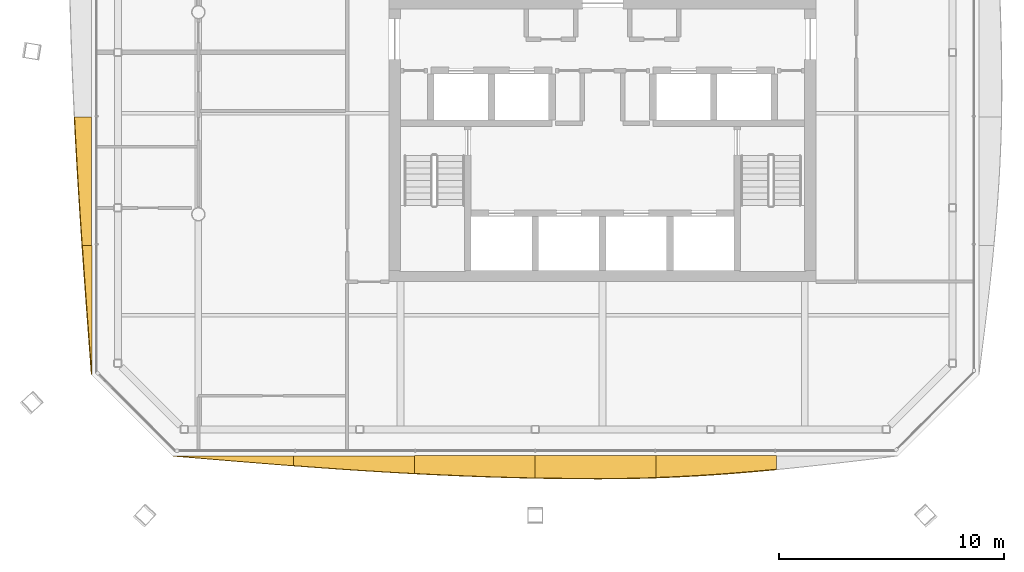
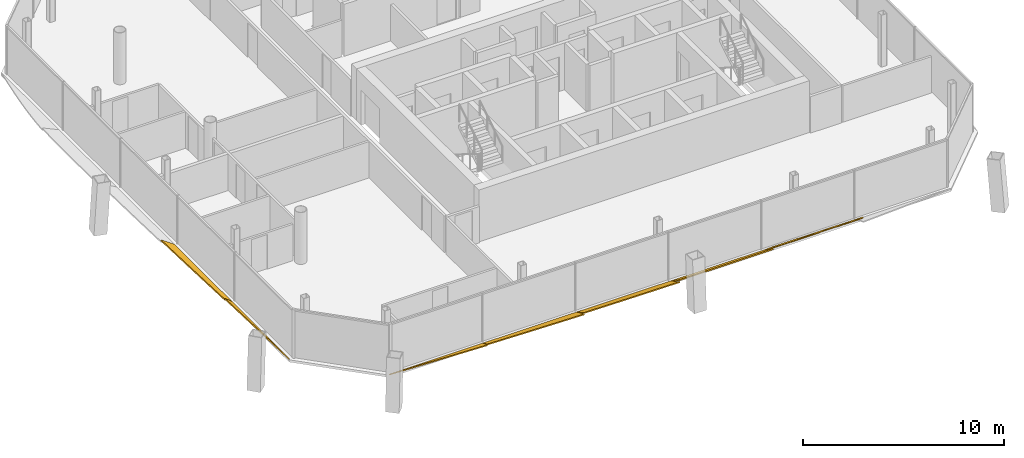
# One storey, part 16 of 19: 7 shading devices.
"""IFC4 building model written with IfcOpenShell, lengths in metres."""

from ifc_helpers import new_model, si_unit, direction, frame, origin, place, context, subcontext, project, spatial, polyline, outline, extrude, material, layer, layer_set, type_object, element, save


model = new_model("IFC4")

# Units and contexts
model_context = context("Model", 3, precision=1e-05, world=origin(), true_north=direction((0.0, 1.0)))
body_context = subcontext(model_context, "Body", "Model", "MODEL_VIEW")
ifc_project = project(units=[si_unit("LENGTHUNIT", "METRE"), si_unit("AREAUNIT", "SQUARE_METRE"), si_unit("VOLUMEUNIT", "CUBIC_METRE"), si_unit("PLANEANGLEUNIT", "RADIAN"), si_unit("MASSUNIT", "GRAM", prefix="KILO")], contexts=[model_context])

# Site, building, storey
site_placement = place(None, origin())
site = spatial("IfcSite", under=ifc_project, at=site_placement, CompositionType="ELEMENT")
building_placement = place(site_placement, origin())
building = spatial("IfcBuilding", under=site, at=building_placement, Name="Tskaro Facet Tower", CompositionType="ELEMENT")
storey_placement = place(building_placement, frame((0.0, 0.0, 203.699951171875)))
storey = spatial("IfcBuildingStorey", under=building, at=storey_placement, Name="L52", CompositionType="ELEMENT", Elevation=203.699951171875)

# Shading devices
ifc_material = material(Name="Bronze anodised aluminium 6063-T6", Category="aluminium")
ifc_layer = layer(ifc_material, 0.06005859375, Name="Bronze anodised aluminium 6063-T6")
ifc_layer_set = layer_set([ifc_layer], Name="Bronze anodised aluminium 6063-T6")
shading_device_type = type_object("IfcShadingDeviceType", Name="Bronze sun blade (FN1)", PredefinedType="USERDEFINED", material=ifc_layer_set)
shading_device_1_placement = place(storey_placement, frame((-19.1298828125, -19.762451171875, 0.056396484375), z_axis=(7.790683e-06, 0.342038678455, 0.939685874311), x_axis=(0.99999999997, -2.664715e-06, -7.320794e-06)))
element("IfcShadingDevice", 1, at=shading_device_1_placement, inside=storey, type_object=shading_device_type, Name="Fin blade south 1", ObjectType="FIN", PredefinedType="USERDEFINED", context=body_context, shape_type="SweptSolid", body=[
    extrude(outline(polyline([(0.0, 0.0), (5.376464843586839, 0.0), (5.3764648439134, -0.4647864279479422), (4.704345703661909, -0.40994983182305916), (4.032470701919325, -0.3536532371814515), (3.360351562961961, -0.2964178794396448), (2.6882324214023376, -0.23826485971117814), (2.016113281465625, -0.1792565824192472), (1.343994140227782, -0.11978947413398622), (0.6718750001266772, -0.06000944481532561), (0.0, 0.0)])), origin(), (0.0, 0.0, -1.0), 0.06005859375),
])
shading_device_2_placement = place(storey_placement, frame((-13.75341796875, -19.757568359375, 0.054443359375), z_axis=(-7.531264e-06, 0.42253059085, 0.906348663451), x_axis=(0.999999999972, 3.182189e-06, 6.825951e-06)))
element("IfcShadingDevice", 2, at=shading_device_2_placement, inside=storey, type_object=shading_device_type, Name="Fin blade south 2", ObjectType="FIN", PredefinedType="USERDEFINED", context=body_context, shape_type="SweptSolid", body=[
    extrude(outline(polyline([(0.0, 0.0), (5.376708984222517, 0.0), (5.376708984679553, -0.8706231642542449), (4.704589843064844, -0.8298862696897509), (4.032470703442774, -0.786848415715131), (3.3605957038822556, -0.7410820120361468), (2.6884765624690883, -0.6933540451228404), (2.016357421382068, -0.6432219619168734), (1.3442382807338844, -0.5912314723591189), (0.6721191405245368, -0.5373825764495767), (-2.287642046543427e-11, -0.4818965507174159), (0.0, 0.0)])), origin(), (0.0, 0.0, -1.0), 0.06005859375),
])
shading_device_3_placement = place(storey_placement, frame((-8.376708984375, -19.7529296875, 0.052001953125), z_axis=(5.10141e-07, 0.499963900037, 0.866046245105), x_axis=(1.0, -2.55052e-07, -4.41805e-07)))
element("IfcShadingDevice", 3, at=shading_device_3_placement, inside=storey, type_object=shading_device_type, Name="Fin blade south 3", ObjectType="FIN", PredefinedType="USERDEFINED", context=body_context, shape_type="SweptSolid", body=[
    extrude(outline(polyline([(0.0, 0.0), (5.3767089843743, 0.0), (5.376708984362318, -1.1411549889086734), (4.704589843714218, -1.1239851750774537), (4.032470703073933, -1.1034236858943016), (3.3603515625493277, -1.079348459860185), (2.6884765625496754, -1.0520036199731688), (2.0163574218249773, -1.0213891662332526), (1.3442382812782259, -0.9874724127139305), (0.6721191406481024, -0.9508309809838587), (-1.9798890572668813e-11, -0.9111313724724459), (0.0, 0.0)])), origin(), (0.0, 0.0, -1.0), 0.06005859375),
])
shading_device_4_placement = place(storey_placement, frame((-3.0, -19.74853515625, 0.04931640625), z_axis=(1.2626919e-05, 0.573492691221, 0.819210676784), x_axis=(0.99999999992, -7.241446e-06, -1.0344107e-05)))
element("IfcShadingDevice", 4, at=shading_device_4_placement, inside=storey, type_object=shading_device_type, Name="Fin blade south 4", ObjectType="FIN", PredefinedType="USERDEFINED", context=body_context, shape_type="SweptSolid", body=[
    extrude(outline(polyline([(0.0, 0.0), (5.376708983946371, 0.0), (5.376708985260039, -1.1887263144453057), (4.704589842427314, -1.2135872897781224), (4.03247070337923, -1.2307879555271262), (3.360351562054508, -1.2400683193430908), (2.9033203125968616, -1.2418283864393218), (2.6882324219890084, -1.2418283864393218), (2.0163574202732444, -1.2386482677175914), (1.3442382819714946, -1.2316679890752416), (0.6721191408899742, -1.2209675736337773), (-4.4590024086068485e-10, -1.2064070085291196), (0.0, 0.0)])), origin(), (0.0, 0.0, -1.0), 0.06005859375),
])
shading_device_5_placement = place(storey_placement, frame((2.376708984375, -19.744384765625, 0.0458984375), z_axis=(-1.7571229e-05, 0.64283365666, 0.76600580256), x_axis=(0.999999999846, 1.1295377e-05, 1.3459663e-05)))
element("IfcShadingDevice", 5, at=shading_device_5_placement, inside=storey, type_object=shading_device_type, Name="Fin blade south 5", ObjectType="FIN", PredefinedType="USERDEFINED", context=body_context, shape_type="SweptSolid", body=[
    extrude(outline(polyline([(0.0, 0.0), (5.376708983544976, 0.0), (5.376708984931864, -0.7917643037590517), (4.70458984324954, -0.8742570787616288), (4.032470701914345, -0.9510294901656693), (3.3603515609262793, -1.022081537971173), (2.6882324219862244, -1.0865382991504167), (2.016113281279737, -1.1438988769465162), (1.3442382821894423, -1.1939762582240518), (0.6721191401793639, -1.2366135011722914), (-1.89626528941447e-09, -1.2712796377096636), (0.0, 0.0)])), origin(), (0.0, 0.0, -1.0), 0.06005859375),
])
shading_device_6_placement = place(storey_placement, frame((-22.74853515625, -4.660888671875, 0.04931640625), z_axis=(0.573474915962, -1.9141145e-05, 0.819223120032), x_axis=(-1.0976966e-05, -0.999999999817, -1.5680868e-05)))
element("IfcShadingDevice", 6, at=shading_device_6_placement, inside=storey, type_object=shading_device_type, Name="Fin blade west 4", ObjectType="FIN", PredefinedType="USERDEFINED", context=body_context, shape_type="SweptSolid", body=[
    extrude(outline(polyline([(0.0, 0.0), (5.734619139574465, -9.714822704129034e-21), (5.73461914317027, -0.511559929577694), (5.01757812501421, -0.57096224626855), (4.300781250545248, -0.6284644864697986), (3.583984374161682, -0.6845466728748766), (2.8671874981603365, -0.7385287771457715), (2.1503906225412117, -0.7904107992824831), (1.433593751132645, -0.8400527307605812), (0.7167968735980387, -0.8875345829843508), (-1.2575196443117572e-09, -0.9322363247359247), (0.0, 0.0)])), origin(), (0.0, 0.0, -1.0), 0.06005859375),
])
shading_device_7_placement = place(storey_placement, frame((-22.744384765625, -10.3955078125, 0.0458984375), z_axis=(0.642898299336, 5.276405e-06, 0.765951549828), x_axis=(3.392192e-06, -0.999999999986, 4.041471e-06)))
element("IfcShadingDevice", 7, at=shading_device_7_placement, inside=storey, type_object=shading_device_type, Name="Fin blade west 5", ObjectType="FIN", PredefinedType="USERDEFINED", context=body_context, shape_type="SweptSolid", body=[
    extrude(outline(polyline([(0.0, 0.0), (5.734374999920177, 0.0), (5.017578125427992, -0.07052108793759232), (4.30078124994912, -0.14088521828257125), (3.583984375139904, -0.2107183912547422), (2.867187500013658, -0.27986364926149176), (2.150390624570381, -0.34832099230282), (1.4335937496382454, -0.4159034204886296), (0.7167968750587357, -0.48226697633620974), (-1.548355105770353e-10, -0.5472547022529473), (0.0, 0.0)])), origin(), (0.0, 0.0, -1.0), 0.06005859375),
])

save(model, "model.ifc")
